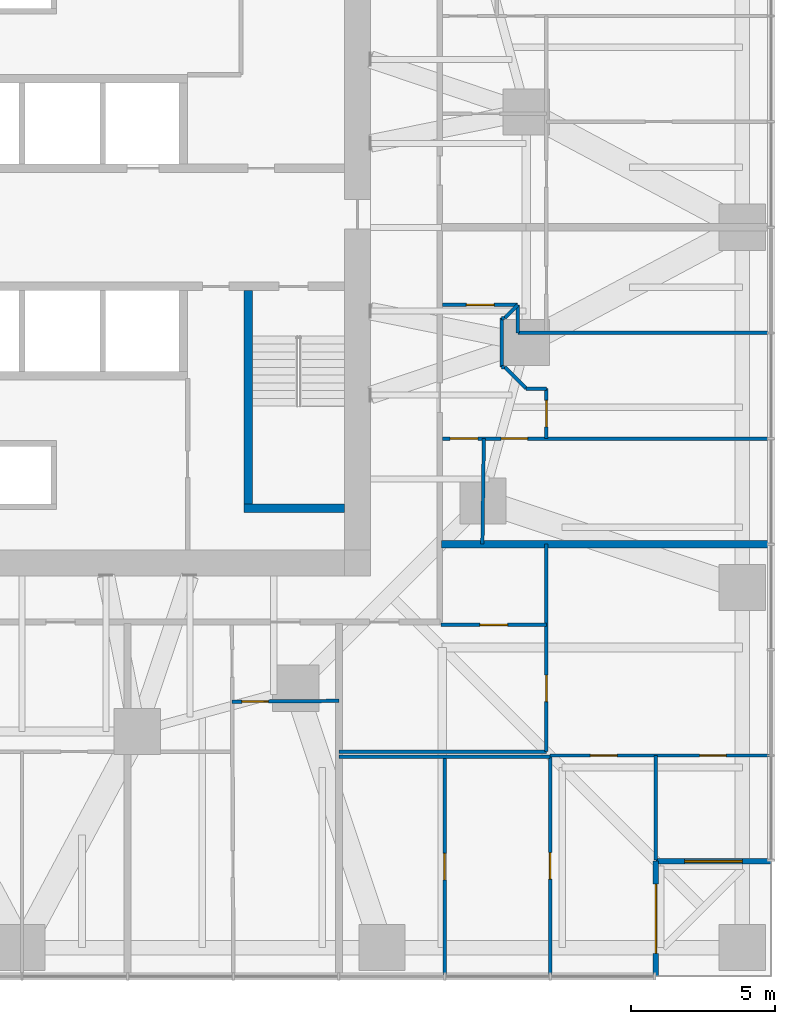
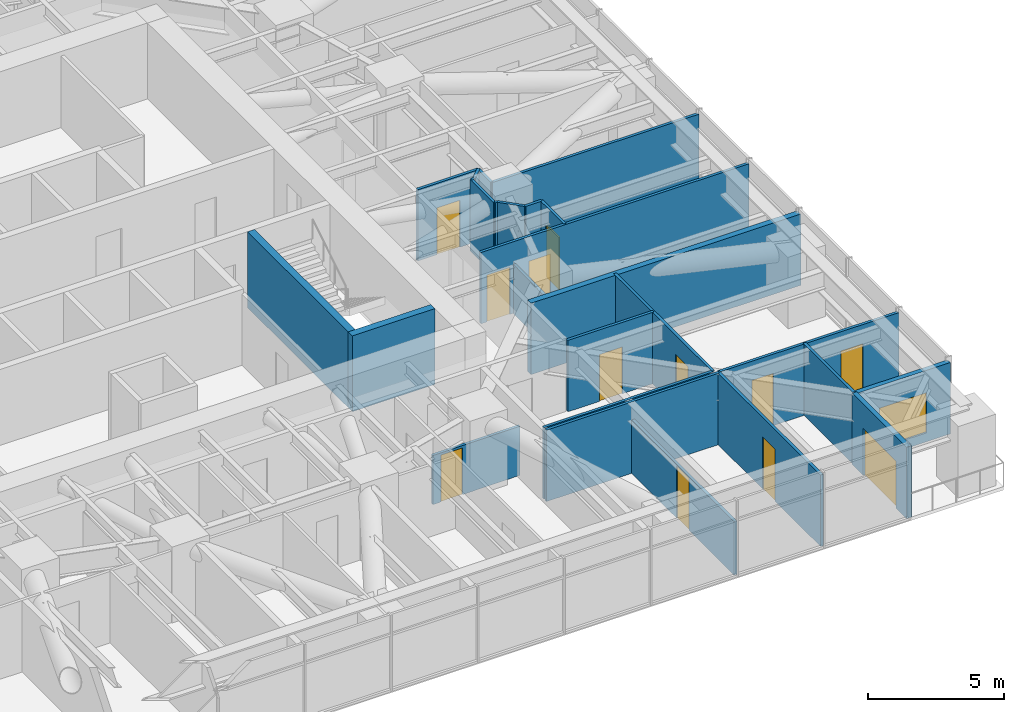
# One storey, part 12 of 17: 26 walls, 12 doors, 1 window, 13 openings.
"""IFC4 building model written with IfcOpenShell, lengths in metres."""

import ifcopenshell
import ifcopenshell.guid

model = None  # the IFC model being written
_history = None  # IfcOwnerHistory: only IFC2X3 demands one
_inside = {}  # id of a spatial element -> (the spatial element, [elements in it])
_under = {}  # id of a project, library or spatial element -> (it, [spatial elements below it])
_declared = {}  # id of a project -> (the project, [libraries it declares])
_typed = {}  # id of a type object -> (the type object, [elements of that type])
_made_of = {}  # id of a material, layer set ... -> (it, [elements and type objects made of it])


def new_model(schema):
    """Start an empty IFC model of exactly this schema.

    Asked for "IFC4X3", IfcOpenShell would pick the latest addendum, in which some entities
    have other attributes; the version numbers below select the first issue.
    IFC2X3 requires an IfcOwnerHistory on every rooted entity: one is made here for all.
    """
    global model, _history
    if schema == "IFC4X3":
        model = ifcopenshell.file(schema_version=(4, 3, 0, 0))
    else:
        model = ifcopenshell.file(schema=schema)
    _inside.clear()
    _under.clear()
    _declared.clear()
    _typed.clear()
    _made_of.clear()
    _history = None
    if model.schema == "IFC2X3":
        org = make("IfcOrganization", Name="unknown")
        user = make(
            "IfcPersonAndOrganization",
            ThePerson=make("IfcPerson", FamilyName="unknown"),
            TheOrganization=org,
        )
        app = make(
            "IfcApplication",
            ApplicationDeveloper=org,
            Version="unknown",
            ApplicationFullName="unknown",
            ApplicationIdentifier="unknown",
        )
        _history = make(
            "IfcOwnerHistory",
            OwningUser=user,
            OwningApplication=app,
            ChangeAction="ADDED",
            CreationDate=0,
        )
    return model


def make(cls, **values):
    """One entity of the class cls with the attributes given. An attribute that is None is left unset."""
    return model.create_entity(
        cls, **{name: value for name, value in values.items() if value is not None}
    )


def rooted(cls, **values):
    """An entity with a GlobalId (a new one), such as an element, a storey or a relation."""
    return make(cls, GlobalId=ifcopenshell.guid.new(), OwnerHistory=_history, **values)


def si_unit(unit_type, name, prefix=None):
    """IfcSIUnit, for example si_unit("LENGTHUNIT", "METRE", prefix="MILLI")."""
    return make("IfcSIUnit", UnitType=unit_type, Prefix=prefix, Name=name)


def assignment(units):
    """IfcUnitAssignment: the units of a project."""
    return None if units is None else make("IfcUnitAssignment", Units=units)


def point(xyz):
    """IfcCartesianPoint."""
    return None if xyz is None else make("IfcCartesianPoint", Coordinates=xyz)


def direction(xyz):
    """IfcDirection."""
    return None if xyz is None else make("IfcDirection", DirectionRatios=xyz)


def frame(location, z_axis=None, x_axis=None):
    """IfcAxis2Placement3D, a coordinate frame: its origin and axes. An axis left out is left unset."""
    return make(
        "IfcAxis2Placement3D",
        Location=point(location),
        Axis=direction(z_axis),
        RefDirection=direction(x_axis),
    )


def frame_2d(location, x_axis=None):
    """IfcAxis2Placement2D, a coordinate frame in the plane: its origin and x axis."""
    return make(
        "IfcAxis2Placement2D", Location=point(location), RefDirection=direction(x_axis)
    )


def origin():
    """The frame at (0, 0, 0) with its axes left unset."""
    return frame((0.0, 0.0, 0.0))


def place(relative_to, where):
    """IfcLocalPlacement: puts the frame where relative to a parent placement (None: the world)."""
    return make(
        "IfcLocalPlacement", PlacementRelTo=relative_to, RelativePlacement=where
    )


def context(
    kind, dimensions, precision=None, world=None, true_north=None, identifier=None
):
    """IfcGeometricRepresentationContext, for example the 3D "Model" context."""
    return make(
        "IfcGeometricRepresentationContext",
        ContextIdentifier=identifier,
        ContextType=kind,
        CoordinateSpaceDimension=dimensions,
        Precision=precision,
        WorldCoordinateSystem=world,
        TrueNorth=true_north,
    )


def subcontext(parent, identifier, kind, view, scale=None):
    """IfcGeometricRepresentationSubContext, for example "Body" below "Model"."""
    return make(
        "IfcGeometricRepresentationSubContext",
        ContextIdentifier=identifier,
        ContextType=kind,
        ParentContext=parent,
        TargetScale=scale,
        TargetView=view,
    )


def project(units=None, contexts=None):
    """IfcProject with its units and contexts."""
    return rooted(
        "IfcProject",
        Name="project",
        RepresentationContexts=contexts,
        UnitsInContext=assignment(units),
    )


def spatial(cls, under=None, at=None, **own):
    """A site, building, storey or space (cls), placed at a placement, below another one or the project."""
    s = rooted(cls, ObjectPlacement=at, **own)
    if under is not None:
        _under.setdefault(under.id(), (under, []))[1].append(s)
    return s


def profile(cls, at=None, kind="AREA", **sizes):
    """A parametric profile (cls). Its sizes go by their IFC names, for example OverallWidth=200.0."""
    return make(cls, ProfileType=kind, Position=at, **sizes)


def rectangle(**sizes):
    """IfcRectangleProfileDef."""
    return profile("IfcRectangleProfileDef", **sizes)


def extrude(swept, where, along, depth):
    """IfcExtrudedAreaSolid: the profile swept, set in the frame where, extruded along a direction by depth."""
    return make(
        "IfcExtrudedAreaSolid",
        SweptArea=swept,
        Position=where,
        ExtrudedDirection=direction(along),
        Depth=depth,
    )


def shape(context_of_items, identifier, shape_type, items):
    """IfcShapeRepresentation: the items that make up one representation, for example the "Body"."""
    return make(
        "IfcShapeRepresentation",
        ContextOfItems=context_of_items,
        RepresentationIdentifier=identifier,
        RepresentationType=shape_type,
        Items=items,
    )


def material(Name=None, Category=None):
    """IfcMaterial."""
    return make("IfcMaterial", Name=Name, Category=Category)


def layer(
    of_material, thickness, ventilated=None, Name=None, Category=None, Priority=None
):
    """IfcMaterialLayer: one layer of a wall or slab, of a material (None: an air gap)."""
    return make(
        "IfcMaterialLayer",
        Material=of_material,
        LayerThickness=thickness,
        IsVentilated=ventilated,
        Name=Name,
        Category=Category,
        Priority=Priority,
    )


def layer_set(layers, Name=None):
    """IfcMaterialLayerSet."""
    return make("IfcMaterialLayerSet", MaterialLayers=layers, LayerSetName=Name)


def made_of(thing, what):
    """Note that an element or type object is made of a material, layer set ...; save() writes the relation."""
    if what is not None:
        _made_of.setdefault(what.id(), (what, []))[1].append(thing)
    return thing


def type_object(cls, material=None, **own):
    """A type object (cls), such as IfcWallType, which elements share."""
    return made_of(rooted(cls, **own), material)


def element(
    cls,
    number,
    at=None,
    inside=None,
    cuts=None,
    type_object=None,
    material=None,
    context=None,
    identifier="Body",
    shape_type=None,
    held_by="IfcProductDefinitionShape",
    body=None,
    shapes=None,
    **own,
):
    """One element of the class cls, such as IfcWall. Its Tag is "e" and its number.

    at: its placement. inside: the storey or other place that contains it. cuts: it is an
    opening in that element (IfcRelVoidsElement). A single representation is given by context,
    identifier, shape_type and body (its items); several are given by shapes. held_by: the class
    of the entity that holds the representations. save() writes the other relations.
    """
    e = rooted(cls, Tag="e%d" % number, ObjectPlacement=at, **own)
    if body is not None:
        shapes = [shape(context, identifier, shape_type, body)]
    if shapes is not None:
        e.Representation = make(held_by, Representations=shapes)
    if inside is not None:
        _inside.setdefault(inside.id(), (inside, []))[1].append(e)
    if cuts is not None:
        rooted(
            "IfcRelVoidsElement", RelatingBuildingElement=cuts, RelatedOpeningElement=e
        )
    if type_object is not None:
        _typed.setdefault(type_object.id(), (type_object, []))[1].append(e)
    return made_of(e, material)


def fill(opening, filler):
    """IfcRelFillsElement: the door or window that sits in an opening."""
    return rooted(
        "IfcRelFillsElement",
        RelatingOpeningElement=opening,
        RelatedBuildingElement=filler,
    )


def aggregate(whole, parts):
    """IfcRelAggregates: a whole, such as a stair, and the parts it consists of."""
    return rooted("IfcRelAggregates", RelatingObject=whole, RelatedObjects=parts)


def save(model, path):
    """Write the relations noted so far, then the file.

    IfcRelAggregates (storeys below a building ...), IfcRelContainedInSpatialStructure (elements
    in a storey), IfcRelDefinesByType, IfcRelAssociatesMaterial and IfcRelDeclares: one each for
    every whole, place, type object, material and project.
    """
    for whole, parts in _under.values():
        aggregate(whole, parts)
    for where, things in _inside.values():
        rooted(
            "IfcRelContainedInSpatialStructure",
            RelatedElements=things,
            RelatingStructure=where,
        )
    for kind, things in _typed.values():
        rooted("IfcRelDefinesByType", RelatedObjects=things, RelatingType=kind)
    for what, things in _made_of.values():
        rooted("IfcRelAssociatesMaterial", RelatedObjects=things, RelatingMaterial=what)
    for by, libraries in _declared.values():
        rooted("IfcRelDeclares", RelatingContext=by, RelatedDefinitions=libraries)
    model.write(path)


model = new_model("IFC4")

# Units and contexts
model_context = context("Model", 3, precision=1e-05, world=origin(), true_north=direction((0.0, 1.0)))
body_context = subcontext(model_context, "Body", "Model", "MODEL_VIEW")
ifc_project = project(units=[si_unit("LENGTHUNIT", "METRE"), si_unit("AREAUNIT", "SQUARE_METRE"), si_unit("VOLUMEUNIT", "CUBIC_METRE"), si_unit("PLANEANGLEUNIT", "RADIAN"), si_unit("MASSUNIT", "GRAM", prefix="KILO")], contexts=[model_context])

# Site, building, storey
site_placement = place(None, origin())
site = spatial("IfcSite", under=ifc_project, at=site_placement, CompositionType="ELEMENT")
building_placement = place(site_placement, origin())
building = spatial("IfcBuilding", under=site, at=building_placement, Name="Torsade Residences", CompositionType="ELEMENT")
storey_placement = place(building_placement, frame((0.0, 0.0, 38.800048828125)))
storey = spatial("IfcBuildingStorey", under=building, at=storey_placement, Name="L10", CompositionType="ELEMENT", Elevation=38.800048828125)

# Walls
ifc_material_1 = material(Name="Concrete 80 MPa", Category="concrete")
ifc_layer_1 = layer(ifc_material_1, 0.300048828125)
ifc_layer_set_1 = layer_set([ifc_layer_1], Name="Concrete 80 MPa")
wall_type_1 = type_object("IfcWallType", Name="CORE INTERNAL WALL 300", PredefinedType="SHEAR", material=ifc_layer_set_1)
wall_1_placement = place(storey_placement, frame((47.85009765625, 27.800048828125, 0.0), z_axis=(0.0, 0.0, 1.0), x_axis=(0.0, -1.0, 0.0)))
element("IfcWall", 1, at=wall_1_placement, inside=storey, type_object=wall_type_1, Name="Core wall ST2W L10", PredefinedType="SHEAR", context=body_context, shape_type="SweptSolid", body=[
    extrude(rectangle(XDim=7.699951171875, YDim=0.300048828125, at=frame_2d((3.85009765625, 0.0))), origin(), (0.0, 0.0, 1.0), 3.39990234375),
])
wall_2_placement = place(storey_placement, frame((51.199951171875, 20.25, 0.0), z_axis=(0.0, 0.0, 1.0), x_axis=(-1.0, 0.0, 0.0)))
element("IfcWall", 2, at=wall_2_placement, inside=storey, type_object=wall_type_1, Name="Core wall ST2S L10", PredefinedType="SHEAR", context=body_context, shape_type="SweptSolid", body=[
    extrude(rectangle(XDim=3.5, YDim=0.300048828125, at=frame_2d((1.75, 0.0))), origin(), (0.0, 0.0, 1.0), 3.39990234375),
])

# Wall, opening, door
ifc_material_2 = material(Name="Plasterboard on steel stud", Category="steel")
ifc_layer_2 = layer(ifc_material_2, 0.1201171875)
ifc_layer_set_2 = layer_set([ifc_layer_2], Name="Plasterboard on steel stud")
wall_type_2 = type_object("IfcWallType", Name="PARTITION 120", PredefinedType="PARTITIONING", material=ifc_layer_set_2)
wall_3_placement = place(storey_placement, frame((51.0, 13.563232421875, 0.0), z_axis=(0.0, 0.0, 1.0), x_axis=(-0.9999611125, -0.008818927805, 0.0)))
wall_3 = element("IfcWall", 3, at=wall_3_placement, inside=storey, type_object=wall_type_2, Name="Partition L10", PredefinedType="PARTITIONING", context=body_context, shape_type="SweptSolid", body=[
    extrude(rectangle(XDim=3.709716796875, YDim=0.1201171875, at=frame_2d((1.85498046875, 0.0))), origin(), (0.0, 0.0, 1.0), 2.199951171875),
])
opening_1_placement = place(wall_3_placement, frame((2.44482421875, 0.0, 0.0)))
opening_1 = element("IfcOpeningElement", 4, at=opening_1_placement, cuts=wall_3, Name="Opening D02L", PredefinedType="OPENING", context=body_context, shape_type="SweptSolid", body=[
    extrude(rectangle(XDim=0.919921875, YDim=2.10009765625, at=frame_2d((0.4599609375, 1.050048828125))), frame((0.0, 0.070068359375, 0.0), z_axis=(0.0, -1.0, 0.0), x_axis=(1.0, 0.0, 0.0)), (0.0, 0.0, 1.0), 0.14013671875),
])
ifc_material_3 = material(Name="Hollow-core timber door", Category="wood")
door_type_1 = type_object("IfcDoorType", Name="INTERNAL DOOR 920x2100", OperationType="NOTDEFINED", PredefinedType="DOOR", material=ifc_material_3)
door_1_placement = place(opening_1_placement, origin())
door_1 = element("IfcDoor", 5, at=door_1_placement, inside=storey, type_object=door_type_1, Name="Door Kitchen and dining to Living room", OperationType="SINGLE_SWING_LEFT", OverallHeight=2.10009765625, OverallWidth=0.919921875, PredefinedType="DOOR", context=body_context, shape_type="SweptSolid", body=[
    extrude(rectangle(XDim=0.919921875, YDim=2.10009765625, at=frame_2d((0.4599609375, 1.050048828125))), frame((0.0, 0.02490234375, 0.0), z_axis=(0.0, -1.0, 0.0), x_axis=(1.0, 0.0, 0.0)), (0.0, 0.0, 1.0), 0.050048828125),
])
fill(opening_1, door_1)

wall_4_placement = place(storey_placement, frame((54.550048828125, 16.199951171875, 0.0), z_axis=(0.0, 0.0, 1.0), x_axis=(1.0, 0.0, 0.0)))
wall_4 = element("IfcWall", 6, at=wall_4_placement, inside=storey, type_object=wall_type_2, Name="Partition L10", PredefinedType="PARTITIONING", context=body_context, shape_type="SweptSolid", body=[
    extrude(rectangle(XDim=3.64990234375, YDim=0.1201171875, at=frame_2d((1.824951171875, 0.0))), origin(), (0.0, 0.0, 1.0), 3.199951171875),
])
opening_2_placement = place(wall_4_placement, frame((1.344970703125, 0.0, 0.0)))
opening_2 = element("IfcOpeningElement", 7, at=opening_2_placement, cuts=wall_4, Name="Opening D05", PredefinedType="OPENING", context=body_context, shape_type="SweptSolid", body=[
    extrude(rectangle(XDim=0.9599609375, YDim=2.10009765625, at=frame_2d((0.47998046875, 1.050048828125))), frame((0.0, 0.070068359375, 0.0), z_axis=(0.0, -1.0, 0.0), x_axis=(1.0, 0.0, 0.0)), (0.0, 0.0, 1.0), 0.14013671875),
])
ifc_material_4 = material(Name="Hollow-core timber door in a steel cavity frame", Category="steel")
door_type_2 = type_object("IfcDoorType", Name="BATHROOM CAVITY SLIDING DOOR 960", OperationType="SLIDING_TO_LEFT", PredefinedType="DOOR", material=ifc_material_4)
door_2_placement = place(opening_2_placement, origin())
door_2 = element("IfcDoor", 8, at=door_2_placement, inside=storey, type_object=door_type_2, Name="Door Kitchen and dining to Bathroom", OperationType="SLIDING_TO_LEFT", OverallHeight=2.10009765625, OverallWidth=0.9599609375, PredefinedType="DOOR", context=body_context, shape_type="SweptSolid", body=[
    extrude(rectangle(XDim=0.9599609375, YDim=2.10009765625, at=frame_2d((0.47998046875, 1.050048828125))), frame((0.0, 0.02490234375, 0.0), z_axis=(0.0, -1.0, 0.0), x_axis=(1.0, 0.0, 0.0)), (0.0, 0.0, 1.0), 0.050048828125),
])
fill(opening_2, door_2)

wall_5_placement = place(storey_placement, frame((58.199951171875, 19.0, 0.0), z_axis=(0.0, 0.0, 1.0), x_axis=(0.0, -1.0, 0.0)))
wall_5 = element("IfcWall", 9, at=wall_5_placement, inside=storey, type_object=wall_type_2, Name="Partition L10", PredefinedType="PARTITIONING", context=body_context, shape_type="SweptSolid", body=[
    extrude(rectangle(XDim=7.199951171875, YDim=0.1201171875, at=frame_2d((3.60009765625, 0.0))), origin(), (0.0, 0.0, 1.0), 3.199951171875),
])
opening_3_placement = place(wall_5_placement, frame((4.5400390625, 0.0, 0.0)))
opening_3 = element("IfcOpeningElement", 10, at=opening_3_placement, cuts=wall_5, Name="Opening D02", PredefinedType="OPENING", context=body_context, shape_type="SweptSolid", body=[
    extrude(rectangle(XDim=0.919921875, YDim=2.340087890625, at=frame_2d((0.4599609375, 1.169921875))), frame((0.0, 0.070068359375, 0.0), z_axis=(0.0, -1.0, 0.0), x_axis=(1.0, 0.0, 0.0)), (0.0, 0.0, 1.0), 0.14013671875),
])
ifc_material_5 = material(Name="Hollow-core timber door", Category="wood")
door_type_3 = type_object("IfcDoorType", Name="INTERNAL DOOR 920x2340", OperationType="NOTDEFINED", PredefinedType="DOOR", material=ifc_material_5)
door_3_placement = place(opening_3_placement, origin())
door_3 = element("IfcDoor", 11, at=door_3_placement, inside=storey, type_object=door_type_3, Name="Door Kitchen and dining to Living room", OperationType="SINGLE_SWING_RIGHT", OverallHeight=2.340087890625, OverallWidth=0.919921875, PredefinedType="DOOR", context=body_context, shape_type="SweptSolid", body=[
    extrude(rectangle(XDim=0.919921875, YDim=2.340087890625, at=frame_2d((0.4599609375, 1.169921875))), frame((0.0, 0.02490234375, 0.0), z_axis=(0.0, -1.0, 0.0), x_axis=(1.0, 0.0, 0.0)), (0.0, 0.0, 1.0), 0.050048828125),
])
fill(opening_3, door_3)

# Wall
wall_6_placement = place(storey_placement, frame((58.199951171875, 11.800048828125, 0.0), z_axis=(0.0, 0.0, 1.0), x_axis=(-1.0, 0.0, 0.0)))
element("IfcWall", 12, at=wall_6_placement, inside=storey, type_object=wall_type_2, Name="Partition L10", PredefinedType="PARTITIONING", context=body_context, shape_type="SweptSolid", body=[
    extrude(rectangle(XDim=7.199951171875, YDim=0.1201171875, at=frame_2d((3.60009765625, 0.0))), origin(), (0.0, 0.0, 1.0), 3.199951171875),
])

# Wall, openings, doors
wall_7_placement = place(storey_placement, frame((65.9599609375, 11.666748046875, 0.0), z_axis=(0.0, 0.0, 1.0), x_axis=(-1.0, 0.0, 0.0)))
wall_7 = element("IfcWall", 13, at=wall_7_placement, inside=storey, type_object=wall_type_2, Name="Partition L10", PredefinedType="PARTITIONING", context=body_context, shape_type="SweptSolid", body=[
    extrude(rectangle(XDim=7.626708984375, YDim=0.1201171875, at=frame_2d((3.8134765625, 0.0))), origin(), (0.0, 0.0, 1.0), 3.199951171875),
])
opening_4_placement = place(wall_7_placement, frame((1.52490234375, 0.0, 0.0)))
opening_4 = element("IfcOpeningElement", 14, at=opening_4_placement, cuts=wall_7, Name="Opening D02", PredefinedType="OPENING", context=body_context, shape_type="SweptSolid", body=[
    extrude(rectangle(XDim=0.919921875, YDim=2.340087890625, at=frame_2d((0.4599609375, 1.169921875))), frame((0.0, 0.070068359375, 0.0), z_axis=(0.0, -1.0, 0.0), x_axis=(1.0, 0.0, 0.0)), (0.0, 0.0, 1.0), 0.14013671875),
])
opening_5_placement = place(wall_7_placement, frame((5.308349609375, 0.0, 0.0)))
opening_5 = element("IfcOpeningElement", 15, at=opening_5_placement, cuts=wall_7, Name="Opening D02", PredefinedType="OPENING", context=body_context, shape_type="SweptSolid", body=[
    extrude(rectangle(XDim=0.919921875, YDim=2.340087890625, at=frame_2d((0.4599609375, 1.169921875))), frame((0.0, 0.070068359375, 0.0), z_axis=(0.0, -1.0, 0.0), x_axis=(1.0, 0.0, 0.0)), (0.0, 0.0, 1.0), 0.14013671875),
])
door_4_placement = place(opening_4_placement, origin())
door_4 = element("IfcDoor", 16, at=door_4_placement, inside=storey, type_object=door_type_3, Name="Door Living room to Family room", OperationType="SINGLE_SWING_RIGHT", OverallHeight=2.340087890625, OverallWidth=0.919921875, PredefinedType="DOOR", context=body_context, shape_type="SweptSolid", body=[
    extrude(rectangle(XDim=0.919921875, YDim=2.340087890625, at=frame_2d((0.4599609375, 1.169921875))), frame((0.0, 0.02490234375, 0.0), z_axis=(0.0, -1.0, 0.0), x_axis=(1.0, 0.0, 0.0)), (0.0, 0.0, 1.0), 0.050048828125),
])
fill(opening_4, door_4)
door_5_placement = place(opening_5_placement, origin())
door_5 = element("IfcDoor", 17, at=door_5_placement, inside=storey, type_object=door_type_3, Name="Door Living room to Bedroom 1", OperationType="SINGLE_SWING_RIGHT", OverallHeight=2.340087890625, OverallWidth=0.919921875, PredefinedType="DOOR", context=body_context, shape_type="SweptSolid", body=[
    extrude(rectangle(XDim=0.919921875, YDim=2.340087890625, at=frame_2d((0.4599609375, 1.169921875))), frame((0.0, 0.02490234375, 0.0), z_axis=(0.0, -1.0, 0.0), x_axis=(1.0, 0.0, 0.0)), (0.0, 0.0, 1.0), 0.050048828125),
])
fill(opening_5, door_5)

# Wall
wall_8_placement = place(storey_placement, frame((58.333251953125, 11.61669921875, 0.0), z_axis=(0.0, 0.0, 1.0), x_axis=(-1.0, 0.0, 0.0)))
element("IfcWall", 18, at=wall_8_placement, inside=storey, type_object=wall_type_2, Name="Partition L10", PredefinedType="PARTITIONING", context=body_context, shape_type="SweptSolid", body=[
    extrude(rectangle(XDim=7.333251953125, YDim=0.1201171875, at=frame_2d((3.66650390625, 0.0))), origin(), (0.0, 0.0, 1.0), 3.199951171875),
])

# Wall, opening, door
wall_9_placement = place(storey_placement, frame((58.333251953125, 4.0400390625, 0.0), z_axis=(0.0, 0.0, 1.0), x_axis=(0.0, 1.0, 0.0)))
wall_9 = element("IfcWall", 19, at=wall_9_placement, inside=storey, type_object=wall_type_2, Name="Partition L10", PredefinedType="PARTITIONING", context=body_context, shape_type="SweptSolid", body=[
    extrude(rectangle(XDim=7.626708984375, YDim=0.1201171875, at=frame_2d((3.8134765625, 0.0))), origin(), (0.0, 0.0, 1.0), 3.199951171875),
])
opening_6_placement = place(wall_9_placement, frame((3.333251953125, 0.0, 0.0)))
opening_6 = element("IfcOpeningElement", 20, at=opening_6_placement, cuts=wall_9, Name="Opening D02", PredefinedType="OPENING", context=body_context, shape_type="SweptSolid", body=[
    extrude(rectangle(XDim=0.919921875, YDim=2.340087890625, at=frame_2d((0.4599609375, 1.169921875))), frame((0.0, 0.070068359375, 0.0), z_axis=(0.0, -1.0, 0.0), x_axis=(1.0, 0.0, 0.0)), (0.0, 0.0, 1.0), 0.14013671875),
])
door_6_placement = place(opening_6_placement, origin())
door_6 = element("IfcDoor", 21, at=door_6_placement, inside=storey, type_object=door_type_3, Name="Door Bedroom 1 to Study", OperationType="SINGLE_SWING_RIGHT", OverallHeight=2.340087890625, OverallWidth=0.919921875, PredefinedType="DOOR", context=body_context, shape_type="SweptSolid", body=[
    extrude(rectangle(XDim=0.919921875, YDim=2.340087890625, at=frame_2d((0.4599609375, 1.169921875))), frame((0.0, 0.02490234375, 0.0), z_axis=(0.0, -1.0, 0.0), x_axis=(1.0, 0.0, 0.0)), (0.0, 0.0, 1.0), 0.050048828125),
])
fill(opening_6, door_6)

# Wall
wall_10_placement = place(storey_placement, frame((62.0, 11.666748046875, 0.0), z_axis=(0.0, 0.0, 1.0), x_axis=(0.0, -1.0, 0.0)))
element("IfcWall", 22, at=wall_10_placement, inside=storey, type_object=wall_type_2, Name="Partition L10", PredefinedType="PARTITIONING", context=body_context, shape_type="SweptSolid", body=[
    extrude(rectangle(XDim=3.626708984375, YDim=0.1201171875, at=frame_2d((1.8134765625, 0.0))), origin(), (0.0, 0.0, 1.0), 3.199951171875),
])

# Wall, opening, door
wall_11_placement = place(storey_placement, frame((54.666748046875, 11.61669921875, 0.0), z_axis=(0.0, 0.0, 1.0), x_axis=(0.0, -1.0, 0.0)))
wall_11 = element("IfcWall", 23, at=wall_11_placement, inside=storey, type_object=wall_type_2, Name="Partition L10", PredefinedType="PARTITIONING", context=body_context, shape_type="SweptSolid", body=[
    extrude(rectangle(XDim=7.57666015625, YDim=0.1201171875, at=frame_2d((3.788330078125, 0.0))), origin(), (0.0, 0.0, 1.0), 2.39990234375),
])
opening_7_placement = place(wall_11_placement, frame((3.348388671875, 0.0, 0.0)))
opening_7 = element("IfcOpeningElement", 24, at=opening_7_placement, cuts=wall_11, Name="Opening D02", PredefinedType="OPENING", context=body_context, shape_type="SweptSolid", body=[
    extrude(rectangle(XDim=0.919921875, YDim=2.340087890625, at=frame_2d((0.4599609375, 1.169921875))), frame((0.0, 0.070068359375, 0.0), z_axis=(0.0, -1.0, 0.0), x_axis=(1.0, 0.0, 0.0)), (0.0, 0.0, 1.0), 0.14013671875),
])
door_7_placement = place(opening_7_placement, origin())
door_7 = element("IfcDoor", 25, at=door_7_placement, inside=storey, type_object=door_type_3, Name="Door Study to Bedroom 2", OperationType="SINGLE_SWING_LEFT", OverallHeight=2.340087890625, OverallWidth=0.919921875, PredefinedType="DOOR", context=body_context, shape_type="SweptSolid", body=[
    extrude(rectangle(XDim=0.919921875, YDim=2.340087890625, at=frame_2d((0.4599609375, 1.169921875))), frame((0.0, 0.02490234375, 0.0), z_axis=(0.0, -1.0, 0.0), x_axis=(1.0, 0.0, 0.0)), (0.0, 0.0, 1.0), 0.050048828125),
])
fill(opening_7, door_7)

# Wall, openings, doors
wall_12_placement = place(storey_placement, frame((65.9599609375, 22.666748046875, 0.0), z_axis=(0.0, 0.0, 1.0), x_axis=(-1.0, 0.0, 0.0)))
wall_12 = element("IfcWall", 26, at=wall_12_placement, inside=storey, type_object=wall_type_2, Name="Partition L10", PredefinedType="PARTITIONING", context=body_context, shape_type="SweptSolid", body=[
    extrude(rectangle(XDim=11.35986328125, YDim=0.1201171875, at=frame_2d((5.679931640625, 0.0))), origin(), (0.0, 0.0, 1.0), 3.199951171875),
])
opening_8_placement = place(wall_12_placement, frame((8.413330078125, 0.0, 0.0)))
opening_8 = element("IfcOpeningElement", 27, at=opening_8_placement, cuts=wall_12, Name="Opening D02L", PredefinedType="OPENING", context=body_context, shape_type="SweptSolid", body=[
    extrude(rectangle(XDim=0.919921875, YDim=2.10009765625, at=frame_2d((0.4599609375, 1.050048828125))), frame((0.0, 0.070068359375, 0.0), z_axis=(0.0, -1.0, 0.0), x_axis=(1.0, 0.0, 0.0)), (0.0, 0.0, 1.0), 0.14013671875),
])
opening_9_placement = place(wall_12_placement, frame((10.140380859375, 0.0, 0.0)))
opening_9 = element("IfcOpeningElement", 28, at=opening_9_placement, cuts=wall_12, Name="Opening D05", PredefinedType="OPENING", context=body_context, shape_type="SweptSolid", body=[
    extrude(rectangle(XDim=0.9599609375, YDim=2.10009765625, at=frame_2d((0.47998046875, 1.050048828125))), frame((0.0, 0.070068359375, 0.0), z_axis=(0.0, -1.0, 0.0), x_axis=(1.0, 0.0, 0.0)), (0.0, 0.0, 1.0), 0.14013671875),
])
door_8_placement = place(opening_9_placement, origin())
door_8 = element("IfcDoor", 29, at=door_8_placement, inside=storey, type_object=door_type_2, Name="Door Kitchen and dining to Bathroom", OperationType="SLIDING_TO_LEFT", OverallHeight=2.10009765625, OverallWidth=0.9599609375, PredefinedType="DOOR", context=body_context, shape_type="SweptSolid", body=[
    extrude(rectangle(XDim=0.9599609375, YDim=2.10009765625, at=frame_2d((0.47998046875, 1.050048828125))), frame((0.0, 0.02490234375, 0.0), z_axis=(0.0, -1.0, 0.0), x_axis=(1.0, 0.0, 0.0)), (0.0, 0.0, 1.0), 0.050048828125),
])
fill(opening_9, door_8)
door_9_placement = place(opening_8_placement, origin())
door_9 = element("IfcDoor", 30, at=door_9_placement, inside=storey, type_object=door_type_1, Name="Door Kitchen and dining to Living room", OperationType="SINGLE_SWING_RIGHT", OverallHeight=2.10009765625, OverallWidth=0.919921875, PredefinedType="DOOR", context=body_context, shape_type="SweptSolid", body=[
    extrude(rectangle(XDim=0.919921875, YDim=2.10009765625, at=frame_2d((0.4599609375, 1.050048828125))), frame((0.0, 0.02490234375, 0.0), z_axis=(0.0, -1.0, 0.0), x_axis=(1.0, 0.0, 0.0)), (0.0, 0.0, 1.0), 0.050048828125),
])
fill(opening_8, door_9)

# Wall, opening, door
wall_13_placement = place(storey_placement, frame((54.60009765625, 27.306640625, 0.0), z_axis=(0.0, 0.0, 1.0), x_axis=(1.0, 0.0, 0.0)))
wall_13 = element("IfcWall", 31, at=wall_13_placement, inside=storey, type_object=wall_type_2, Name="Partition L10", PredefinedType="PARTITIONING", context=body_context, shape_type="SweptSolid", body=[
    extrude(rectangle(XDim=2.606689453125, YDim=0.1201171875, at=frame_2d((1.30322265625, 0.0))), origin(), (0.0, 0.0, 1.0), 3.199951171875),
])
opening_10_placement = place(wall_13_placement, frame((0.8232421875, 0.0, 0.0)))
opening_10 = element("IfcOpeningElement", 32, at=opening_10_placement, cuts=wall_13, Name="Opening D05", PredefinedType="OPENING", context=body_context, shape_type="SweptSolid", body=[
    extrude(rectangle(XDim=0.9599609375, YDim=2.10009765625, at=frame_2d((0.47998046875, 1.050048828125))), frame((0.0, 0.070068359375, 0.0), z_axis=(0.0, -1.0, 0.0), x_axis=(1.0, 0.0, 0.0)), (0.0, 0.0, 1.0), 0.14013671875),
])
door_10_placement = place(opening_10_placement, origin())
door_10 = element("IfcDoor", 33, at=door_10_placement, inside=storey, type_object=door_type_2, Name="Door Kitchen and dining to Ensuite", OperationType="SLIDING_TO_LEFT", OverallHeight=2.10009765625, OverallWidth=0.9599609375, PredefinedType="DOOR", context=body_context, shape_type="SweptSolid", body=[
    extrude(rectangle(XDim=0.9599609375, YDim=2.10009765625, at=frame_2d((0.47998046875, 1.050048828125))), frame((0.0, 0.02490234375, 0.0), z_axis=(0.0, -1.0, 0.0), x_axis=(1.0, 0.0, 0.0)), (0.0, 0.0, 1.0), 0.050048828125),
])
fill(opening_10, door_10)

# Walls
wall_14_placement = place(storey_placement, frame((57.206787109375, 27.306640625, 0.0), z_axis=(0.0, 0.0, 1.0), x_axis=(-0.707295771362, -0.706917740485, 0.0)))
element("IfcWall", 34, at=wall_14_placement, inside=storey, type_object=wall_type_2, Name="Partition L10", PredefinedType="PARTITIONING", context=body_context, shape_type="SweptSolid", body=[
    extrude(rectangle(XDim=0.645751953125, YDim=0.1201171875, at=frame_2d((0.32275390625, 0.0))), origin(), (0.0, 0.0, 1.0), 3.199951171875),
])
wall_15_placement = place(storey_placement, frame((56.64990234375, 26.85009765625, 0.0), z_axis=(0.0, 0.0, 1.0), x_axis=(0.0, -1.0, 0.0)))
element("IfcWall", 35, at=wall_15_placement, inside=storey, type_object=wall_type_2, Name="Partition L10", PredefinedType="PARTITIONING", context=body_context, shape_type="SweptSolid", body=[
    extrude(rectangle(XDim=1.7001953125, YDim=0.1201171875, at=frame_2d((0.85009765625, 0.0))), origin(), (0.0, 0.0, 1.0), 3.199951171875),
])
wall_16_placement = place(storey_placement, frame((56.75, 25.14990234375, 0.0), z_axis=(0.0, 0.0, 1.0), x_axis=(0.707106781187, -0.707106781187, 0.0)))
element("IfcWall", 36, at=wall_16_placement, inside=storey, type_object=wall_type_2, Name="Partition L10", PredefinedType="PARTITIONING", context=body_context, shape_type="SweptSolid", body=[
    extrude(rectangle(XDim=1.060546875, YDim=0.1201171875, at=frame_2d((0.5302734375, 0.0))), origin(), (0.0, 0.0, 1.0), 3.199951171875),
])
wall_17_placement = place(storey_placement, frame((57.5, 24.39990234375, 0.0), z_axis=(0.0, 0.0, 1.0), x_axis=(1.0, 0.0, 0.0)))
element("IfcWall", 37, at=wall_17_placement, inside=storey, type_object=wall_type_2, Name="Partition L10", PredefinedType="PARTITIONING", context=body_context, shape_type="SweptSolid", body=[
    extrude(rectangle(XDim=0.699951171875, YDim=0.1201171875, at=frame_2d((0.35009765625, 0.0))), origin(), (0.0, 0.0, 1.0), 3.199951171875),
])

# Wall, opening, door
wall_18_placement = place(storey_placement, frame((58.199951171875, 24.39990234375, 0.0), z_axis=(0.0, 0.0, 1.0), x_axis=(0.0, -1.0, 0.0)))
wall_18 = element("IfcWall", 38, at=wall_18_placement, inside=storey, type_object=wall_type_2, Name="Partition L10", PredefinedType="PARTITIONING", context=body_context, shape_type="SweptSolid", body=[
    extrude(rectangle(XDim=1.733154296875, YDim=0.1201171875, at=frame_2d((0.86669921875, 0.0))), origin(), (0.0, 0.0, 1.0), 3.199951171875),
])
opening_11_placement = place(wall_18_placement, frame((0.40673828125, 0.0, 0.0)))
opening_11 = element("IfcOpeningElement", 39, at=opening_11_placement, cuts=wall_18, Name="Opening D02", PredefinedType="OPENING", context=body_context, shape_type="SweptSolid", body=[
    extrude(rectangle(XDim=0.919921875, YDim=2.340087890625, at=frame_2d((0.4599609375, 1.169921875))), frame((0.0, 0.070068359375, 0.0), z_axis=(0.0, -1.0, 0.0), x_axis=(1.0, 0.0, 0.0)), (0.0, 0.0, 1.0), 0.14013671875),
])
door_11_placement = place(opening_11_placement, origin())
door_11 = element("IfcDoor", 40, at=door_11_placement, inside=storey, type_object=door_type_3, Name="Door Kitchen and dining to Bedroom 2", OperationType="SINGLE_SWING_RIGHT", OverallHeight=2.340087890625, OverallWidth=0.919921875, PredefinedType="DOOR", context=body_context, shape_type="SweptSolid", body=[
    extrude(rectangle(XDim=0.919921875, YDim=2.340087890625, at=frame_2d((0.4599609375, 1.169921875))), frame((0.0, 0.02490234375, 0.0), z_axis=(0.0, -1.0, 0.0), x_axis=(1.0, 0.0, 0.0)), (0.0, 0.0, 1.0), 0.050048828125),
])
fill(opening_11, door_11)

# Walls
wall_19_placement = place(storey_placement, frame((56.029052734375, 22.666748046875, 0.0), z_axis=(0.0, 0.0, 1.0), x_axis=(-0.013448414164, -0.999909565989, 0.0)))
element("IfcWall", 41, at=wall_19_placement, inside=storey, type_object=wall_type_2, Name="Partition L10", PredefinedType="PARTITIONING", context=body_context, shape_type="SweptSolid", body=[
    extrude(rectangle(XDim=3.6669921875, YDim=0.1201171875, at=frame_2d((1.83349609375, 0.0))), origin(), (0.0, 0.0, 1.0), 2.199951171875),
])
wall_20_placement = place(storey_placement, frame((65.9599609375, 26.333251953125, 0.0), z_axis=(0.0, 0.0, 1.0), x_axis=(-1.0, 0.0, 0.0)))
element("IfcWall", 42, at=wall_20_placement, inside=storey, type_object=wall_type_2, Name="Partition L10", PredefinedType="PARTITIONING", context=body_context, shape_type="SweptSolid", body=[
    extrude(rectangle(XDim=8.753173828125, YDim=0.1201171875, at=frame_2d((4.37646484375, 0.0))), origin(), (0.0, 0.0, 1.0), 3.199951171875),
])
wall_21_placement = place(storey_placement, frame((57.206787109375, 26.333251953125, 0.0), z_axis=(0.0, 0.0, 1.0), x_axis=(0.0, 1.0, 0.0)))
element("IfcWall", 43, at=wall_21_placement, inside=storey, type_object=wall_type_2, Name="Partition L10", PredefinedType="PARTITIONING", context=body_context, shape_type="SweptSolid", body=[
    extrude(rectangle(XDim=0.973388671875, YDim=0.1201171875, at=frame_2d((0.48681640625, 0.0))), origin(), (0.0, 0.0, 1.0), 3.199951171875),
])
for number, where, z_axis, x_axis, name in (
    (44, (56.64990234375, 26.85009765625, 0.0), (0.0, 0.0, 1.0), (1.0, 0.0, 0.0), "Partition L10"),
    (45, (56.64990234375, 25.14990234375, 0.0), (0.0, 0.0, 1.0), (1.0, 0.0, 0.0), "Partition L10"),
):
    element("IfcWall", number, at=place(storey_placement, frame(where, z_axis=z_axis, x_axis=x_axis)), inside=storey, type_object=wall_type_2, Name=name, PredefinedType="PARTITIONING", context=body_context, shape_type="SweptSolid", body=[
        extrude(rectangle(XDim=0.10009765625, YDim=0.1201171875, at=frame_2d((0.050048828125, 0.0))), origin(), (0.0, 0.0, 1.0), 3.199951171875),
    ])
ifc_material_6 = material(Name="Masonry-lined stud party wall", Category="masonry")
ifc_layer_3 = layer(ifc_material_6, 0.25)
ifc_layer_set_3 = layer_set([ifc_layer_3], Name="Masonry-lined stud party wall")
wall_type_3 = type_object("IfcWallType", Name="PARTY WALL 250", PredefinedType="PARTITIONING", material=ifc_layer_set_3)
wall_22_placement = place(storey_placement, frame((66.0, 19.0, 0.0), z_axis=(0.0, 0.0, 1.0), x_axis=(-1.0, 0.0, 0.0)))
element("IfcWall", 46, at=wall_22_placement, inside=storey, type_object=wall_type_3, Name="Party wall L10", PredefinedType="PARTITIONING", context=body_context, shape_type="SweptSolid", body=[
    extrude(rectangle(XDim=11.43994140625, YDim=0.25, at=frame_2d((5.719970703125, 0.0))), origin(), (0.0, 0.0, 1.0), 3.199951171875),
])

# Wall, opening, door
ifc_material_7 = material(Name="Stone-faced precast concrete 40 MPa panel", Category="masonry")
ifc_layer_4 = layer(ifc_material_7, 0.199951171875)
ifc_layer_set_4 = layer_set([ifc_layer_4], Name="Stone-faced precast concrete 40 MPa panel")
wall_type_4 = type_object("IfcWallType", Name="TERRACE WALL 200", PredefinedType="SOLIDWALL", material=ifc_layer_set_4)
wall_23_placement = place(storey_placement, frame((62.0, 4.0, 0.0), z_axis=(0.0, 0.0, 1.0), x_axis=(0.0, 1.0, 0.0)))
wall_23 = element("IfcWall", 47, at=wall_23_placement, inside=storey, type_object=wall_type_4, Name="Terrace wall L10 2", PredefinedType="SOLIDWALL", context=body_context, shape_type="SweptSolid", body=[
    extrude(rectangle(XDim=4.0, YDim=0.199951171875, at=frame_2d((2.0, 0.0))), origin(), (0.0, 0.0, 1.0), 3.199951171875),
])
opening_12_placement = place(wall_23_placement, frame((0.800048828125, 0.0, 0.0)))
opening_12 = element("IfcOpeningElement", 48, at=opening_12_placement, cuts=wall_23, Name="Opening D10A", PredefinedType="OPENING", context=body_context, shape_type="SweptSolid", body=[
    extrude(rectangle(XDim=2.39990234375, YDim=2.10009765625, at=frame_2d((1.199951171875, 1.050048828125))), frame((0.0, 0.10986328125, 0.0), z_axis=(0.0, -1.0, 0.0), x_axis=(1.0, 0.0, 0.0)), (0.0, 0.0, 1.0), 0.219970703125),
])
ifc_material_8 = material(Name="Aluminium-framed glass door", Category="aluminium")
door_type_4 = type_object("IfcDoorType", Name="TERRACE SLIDING DOOR 2400x2100", OperationType="SLIDING_TO_LEFT", PredefinedType="DOOR", material=ifc_material_8)
door_12_placement = place(opening_12_placement, origin())
door_12 = element("IfcDoor", 49, at=door_12_placement, inside=storey, type_object=door_type_4, Name="Terrace door L10 2", OperationType="SLIDING_TO_LEFT", OverallHeight=2.10009765625, OverallWidth=2.39990234375, PredefinedType="DOOR", context=body_context, shape_type="SweptSolid", body=[
    extrude(rectangle(XDim=2.39990234375, YDim=2.10009765625, at=frame_2d((1.199951171875, 1.050048828125))), frame((0.0, 0.02490234375, 0.0), z_axis=(0.0, -1.0, 0.0), x_axis=(1.0, 0.0, 0.0)), (0.0, 0.0, 1.0), 0.050048828125),
])
fill(opening_12, door_12)

# Wall, opening, window
wall_24_placement = place(storey_placement, frame((62.0, 8.0, 0.0), z_axis=(0.0, 0.0, 1.0), x_axis=(1.0, 0.0, 0.0)))
wall_24 = element("IfcWall", 50, at=wall_24_placement, inside=storey, type_object=wall_type_4, Name="Terrace wall L10 3", PredefinedType="SOLIDWALL", context=body_context, shape_type="SweptSolid", body=[
    extrude(rectangle(XDim=4.0, YDim=0.199951171875, at=frame_2d((2.0, 0.0))), origin(), (0.0, 0.0, 1.0), 3.199951171875),
])
opening_13_placement = place(wall_24_placement, frame((1.0, 0.0, 0.39990234375)))
opening_13 = element("IfcOpeningElement", 51, at=opening_13_placement, cuts=wall_24, Name="Opening W1B", PredefinedType="OPENING", context=body_context, shape_type="SweptSolid", body=[
    extrude(rectangle(XDim=2.0, YDim=1.800048828125, at=frame_2d((1.0, 0.89990234375))), frame((0.0, 0.10986328125, 0.0), z_axis=(0.0, -1.0, 0.0), x_axis=(1.0, 0.0, 0.0)), (0.0, 0.0, 1.0), 0.219970703125),
])
ifc_material_9 = material(Name="Aluminium-framed glass window", Category="aluminium")
window_type = type_object("IfcWindowType", Name="TERRACE WINDOW 2000x1800", PartitioningType="SINGLE_PANEL", PredefinedType="WINDOW", material=ifc_material_9)
window_placement = place(opening_13_placement, origin())
window = element("IfcWindow", 52, at=window_placement, inside=storey, type_object=window_type, Name="Terrace window L10 3", OverallHeight=1.800048828125, OverallWidth=2.0, PartitioningType="SINGLE_PANEL", PredefinedType="WINDOW", context=body_context, shape_type="SweptSolid", body=[
    extrude(rectangle(XDim=2.0, YDim=1.800048828125, at=frame_2d((1.0, 0.89990234375))), frame((0.0, 0.030029296875, 0.0), z_axis=(0.0, -1.0, 0.0), x_axis=(1.0, 0.0, 0.0)), (0.0, 0.0, 1.0), 0.06005859375),
])
fill(opening_13, window)

save(model, "model.ifc")
